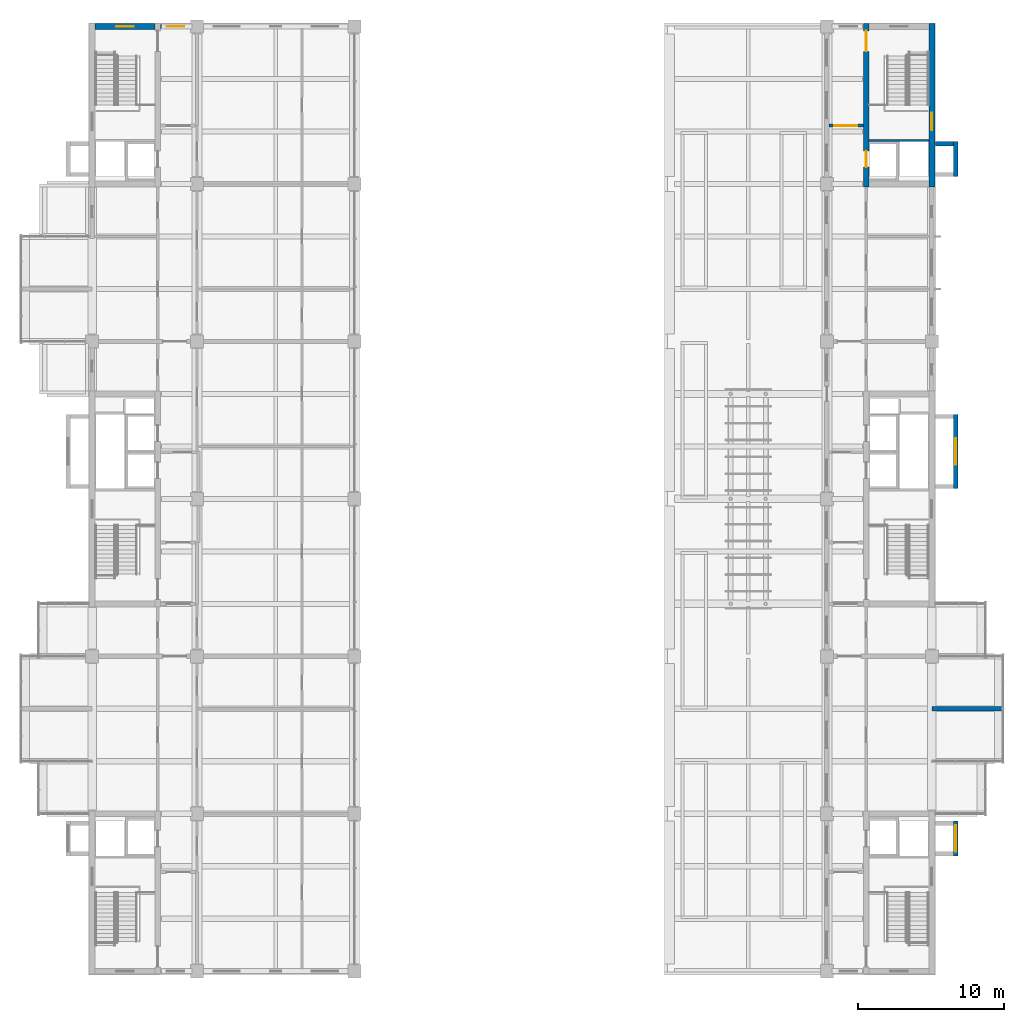
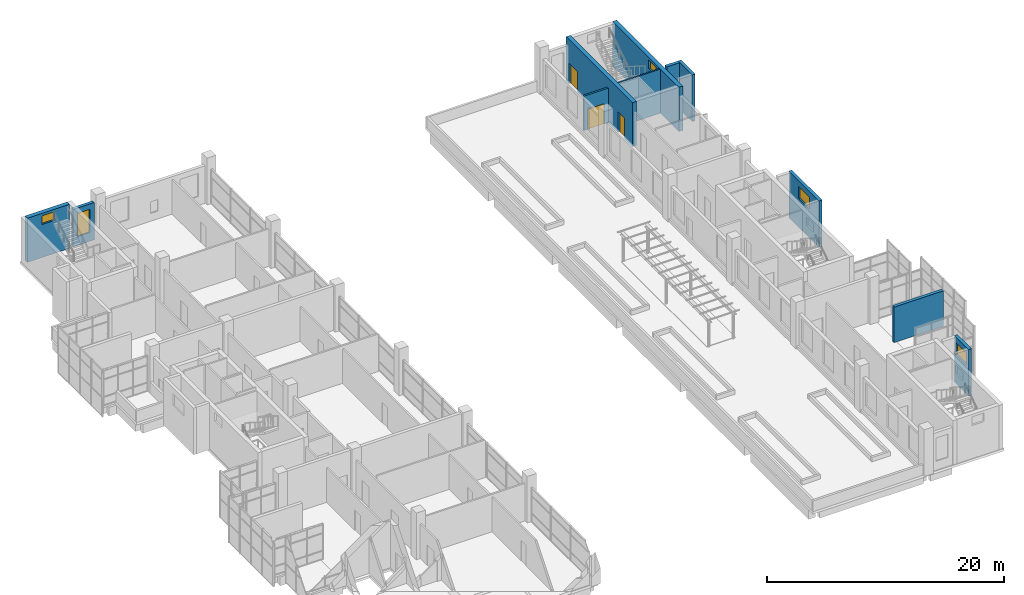
# One storey, part 28 of 32: 11 walls, 5 windows, 3 doors, 8 openings.
"""IFC4 building model written with IfcOpenShell, lengths in metres."""

from ifc_helpers import new_model, si_unit, direction, frame, frame_2d, origin, place, context, subcontext, project, spatial, rectangle, extrude, material, layer, layer_set, type_object, element, fill, save


model = new_model("IFC4")

# Units and contexts
model_context = context("Model", 3, precision=1e-05, world=origin(), true_north=direction((0.0, 1.0)))
body_context = subcontext(model_context, "Body", "Model", "MODEL_VIEW")
ifc_project = project(units=[si_unit("LENGTHUNIT", "METRE"), si_unit("AREAUNIT", "SQUARE_METRE"), si_unit("VOLUMEUNIT", "CUBIC_METRE"), si_unit("PLANEANGLEUNIT", "RADIAN"), si_unit("MASSUNIT", "GRAM", prefix="KILO")], contexts=[model_context])

# Site, building, storey
site_placement = place(None, origin())
site = spatial("IfcSite", under=ifc_project, at=site_placement, CompositionType="ELEMENT")
building_placement = place(site_placement, origin())
building = spatial("IfcBuilding", under=site, at=building_placement, Name="Basin Gate Institute", CompositionType="ELEMENT")
storey_placement = place(building_placement, frame((0.0, 0.0, 41.39990234375)))
storey = spatial("IfcBuildingStorey", under=building, at=storey_placement, Name="L08", CompositionType="ELEMENT", Elevation=41.39990234375)

# Wall
ifc_material_1 = material(Name="Aluminium-faced insulated panel wall", Category="aluminium")
ifc_layer_1 = layer(ifc_material_1, 0.300048828125)
ifc_layer_set_1 = layer_set([ifc_layer_1], Name="Capsule side wall EW2 EI 120")
wall_type_1 = type_object("IfcWallType", Name="Capsule side wall EW2 EI 120", PredefinedType="STANDARD", material=ifc_layer_set_1)
wall_1_placement = place(storey_placement, frame((123.60009765625, 53.10009765625, 0.0), z_axis=(0.0, 0.0, 1.0), x_axis=(-1.0, 0.0, 0.0)))
element("IfcWall", 1, at=wall_1_placement, inside=storey, type_object=wall_type_1, material=ifc_layer_set_1, Name="Capsule side wall E wing L08 line 6", PredefinedType="STANDARD", context=body_context, shape_type="SweptSolid", body=[
    extrude(rectangle(XDim=4.800048828125, YDim=0.300048828125, at=frame_2d((2.39990234375, 0.0))), origin(), (0.0, 0.0, 1.0), 3.650146484375),
])

# Wall, opening, door
ifc_material_2 = material(Name="Fire-rated masonry", Category="masonry")
ifc_layer_2 = layer(ifc_material_2, 0.199951171875)
ifc_layer_set_2 = layer_set([ifc_layer_2], Name="Enclosure wall PW2 200 EI 60")
wall_type_2 = type_object("IfcWallType", Name="Enclosure wall PW2 200 EI 60", PredefinedType="PARTITIONING", material=ifc_layer_set_2)
wall_2_placement = place(storey_placement, frame((114.10009765625, 93.10009765625, 0.0), z_axis=(0.0, 0.0, 1.0), x_axis=(-1.0, 0.0, 0.0)))
wall_2 = element("IfcWall", 2, at=wall_2_placement, inside=storey, type_object=wall_type_2, material=ifc_layer_set_2, Name="Smoke lobby enclosure wall PW2 L08", PredefinedType="PARTITIONING", context=body_context, shape_type="SweptSolid", body=[
    extrude(rectangle(XDim=2.35009765625, YDim=0.199951171875, at=frame_2d((1.175048828125, 0.0))), origin(), (0.0, 0.0, 1.0), 3.550048828125),
])
opening_1_placement = place(wall_2_placement, frame((0.39990234375, 0.0, 0.0)))
opening_1 = element("IfcOpeningElement", 3, at=opening_1_placement, cuts=wall_2, Name="Opening DR378", PredefinedType="OPENING", context=body_context, shape_type="SweptSolid", body=[
    extrude(rectangle(XDim=1.60009765625, YDim=2.10009765625, at=frame_2d((0.800048828125, 1.050048828125))), frame((0.0, 0.10986328125, 0.0), z_axis=(0.0, -1.0, 0.0), x_axis=(1.0, 0.0, 0.0)), (0.0, 0.0, 1.0), 0.219970703125),
])
ifc_material_3 = material(Name="Steel fire door", Category="steel")
door_type_1 = type_object("IfcDoorType", Name="FD60 Smoke lobby door pair D8", OperationType="DOUBLE_DOOR_SINGLE_SWING", PredefinedType="DOOR", material=ifc_material_3)
door_1_placement = place(opening_1_placement, frame((1.60009765625, 0.0, 0.0), z_axis=(0.0, 0.0, 1.0), x_axis=(-1.0, 0.0, 0.0)))
door_1 = element("IfcDoor", 4, at=door_1_placement, inside=storey, type_object=door_type_1, material=ifc_material_3, Name="Smoke lobby door SS6 L08", OperationType="DOUBLE_DOOR_SINGLE_SWING", OverallHeight=2.10009765625, OverallWidth=1.60009765625, PredefinedType="DOOR", context=body_context, shape_type="SweptSolid", body=[
    extrude(rectangle(XDim=1.60009765625, YDim=2.10009765625, at=frame_2d((0.800048828125, 1.050048828125))), frame((0.0, 0.02490234375, 0.0), z_axis=(0.0, -1.0, 0.0), x_axis=(1.0, 0.0, 0.0)), (0.0, 0.0, 1.0), 0.050048828125),
])
fill(opening_1, door_1)

# Wall, opening, window
ifc_material_4 = material(Name="Aluminium-faced insulated panel wall", Category="aluminium")
ifc_layer_3 = layer(ifc_material_4, 0.300048828125)
ifc_layer_set_3 = layer_set([ifc_layer_3], Name="External wall EW1 EI 120")
wall_type_3 = type_object("IfcWallType", Name="External wall EW1 EI 120", PredefinedType="STANDARD", material=ifc_layer_set_3)
wall_3_placement = place(storey_placement, frame((65.89990234375, 99.89990234375, 0.0), z_axis=(0.0, 0.0, 1.0), x_axis=(1.0, 0.0, 0.0)))
wall_3 = element("IfcWall", 5, at=wall_3_placement, inside=storey, type_object=wall_type_3, material=ifc_layer_set_3, Name="External end wall W wing north L08 1", PredefinedType="STANDARD", context=body_context, shape_type="SweptSolid", body=[
    extrude(rectangle(XDim=2.050048828125, YDim=0.300048828125, at=frame_2d((1.02490234375, 0.0))), origin(), (0.0, 0.0, 1.0), 3.85009765625),
])
opening_2_placement = place(wall_3_placement, frame((0.425048828125, 0.0, 0.89990234375)))
opening_2 = element("IfcOpeningElement", 6, at=opening_2_placement, cuts=wall_3, Name="Opening WN4", PredefinedType="OPENING", context=body_context, shape_type="SweptSolid", body=[
    extrude(rectangle(XDim=1.199951171875, YDim=2.39990234375, at=frame_2d((0.60009765625, 1.199951171875))), frame((0.0, 0.16015625, 0.0), z_axis=(0.0, -1.0, 0.0), x_axis=(1.0, 0.0, 0.0)), (0.0, 0.0, 1.0), 0.320068359375),
])
ifc_material_5 = material(Name="Aluminium-framed double glazing", Category="aluminium")
window_type_1 = type_object("IfcWindowType", Name="Corridor end window WN4", PartitioningType="SINGLE_PANEL", PredefinedType="WINDOW", material=ifc_material_5)
window_1_placement = place(opening_2_placement, origin())
window_1 = element("IfcWindow", 7, at=window_1_placement, inside=storey, type_object=window_type_1, material=ifc_material_5, Name="Corridor end window W wing N L08", OverallHeight=2.39990234375, OverallWidth=1.199951171875, PartitioningType="SINGLE_PANEL", PredefinedType="WINDOW", context=body_context, shape_type="SweptSolid", body=[
    extrude(rectangle(XDim=1.199951171875, YDim=2.39990234375, at=frame_2d((0.60009765625, 1.199951171875))), frame((0.0, 0.030029296875, 0.0), z_axis=(0.0, -1.0, 0.0), x_axis=(1.0, 0.0, 0.0)), (0.0, 0.0, 1.0), 0.06005859375),
])
fill(opening_2, window_1)

# Wall
ifc_material_6 = material(Name="Concrete 40 MPa", Category="concrete")
ifc_layer_4 = layer(ifc_material_6, 0.14990234375)
ifc_layer_set_4 = layer_set([ifc_layer_4], Name="Concrete 40 MPa")
wall_type_4 = type_object("IfcWallType", Name="Wall SE1 stair enclosure R120", PredefinedType="SOLIDWALL", material=ifc_layer_set_4)
wall_4_placement = place(storey_placement, frame((118.60009765625, 92.074951171875, 0.0), z_axis=(0.0, 0.0, 1.0), x_axis=(-1.0, 0.0, 0.0)))
element("IfcWall", 8, at=wall_4_placement, inside=storey, type_object=wall_type_4, material=ifc_layer_set_4, Name="Stair enclosure wall ST-EN L08", PredefinedType="SOLIDWALL", context=body_context, shape_type="SweptSolid", body=[
    extrude(rectangle(XDim=4.10009765625, YDim=0.14990234375, at=frame_2d((2.050048828125, 0.0))), origin(), (0.0, 0.0, 1.0), 4.550048828125),
])

# Wall, opening, window
ifc_material_7 = material(Name="Concrete 50 MPa", Category="concrete")
ifc_layer_5 = layer(ifc_material_7, 0.300048828125)
ifc_layer_set_5 = layer_set([ifc_layer_5], Name="Concrete 50 MPa")
wall_type_5 = type_object("IfcWallType", Name="Wall SK1 R120", PredefinedType="SHEAR", material=ifc_layer_set_5)
wall_5_placement = place(storey_placement, frame((120.449951171875, 43.0, 0.0), z_axis=(0.0, 0.0, 1.0), x_axis=(0.0, 1.0, 0.0)))
wall_5 = element("IfcWall", 9, at=wall_5_placement, inside=storey, type_object=wall_type_5, material=ifc_layer_set_5, Name="Spine riser stack wall SK1 ES F L08", PredefinedType="SHEAR", context=body_context, shape_type="SweptSolid", body=[
    extrude(rectangle(XDim=2.39990234375, YDim=0.300048828125, at=frame_2d((1.199951171875, 0.0))), origin(), (0.0, 0.0, 1.0), 4.800048828125),
])
opening_3_placement = place(wall_5_placement, frame((0.300048828125, 0.0, 3.0)))
opening_3 = element("IfcOpeningElement", 10, at=opening_3_placement, cuts=wall_5, Name="Opening WL2", PredefinedType="OPENING", context=body_context, shape_type="SweptSolid", body=[
    extrude(rectangle(XDim=1.800048828125, YDim=1.199951171875, at=frame_2d((0.89990234375, 0.60009765625))), frame((0.0, 0.16015625, 0.0), z_axis=(0.0, -1.0, 0.0), x_axis=(1.0, 0.0, 0.0)), (0.0, 0.0, 1.0), 0.320068359375),
])
ifc_material_8 = material(Name="Aluminium louvre blades with fire damper", Category="aluminium")
window_type_2 = type_object("IfcWindowType", Name="Riser louvre EI 120 WL2", PartitioningType="SINGLE_PANEL", PredefinedType="WINDOW", material=ifc_material_8)
window_2_placement = place(opening_3_placement, origin())
window_2 = element("IfcWindow", 11, at=window_2_placement, inside=storey, type_object=window_type_2, material=ifc_material_8, Name="Riser louvre EI 120 ES riser 1 L08", OverallHeight=1.199951171875, OverallWidth=1.800048828125, PartitioningType="SINGLE_PANEL", PredefinedType="WINDOW", context=body_context, shape_type="SweptSolid", body=[
    extrude(rectangle(XDim=1.800048828125, YDim=1.199951171875, at=frame_2d((0.89990234375, 0.60009765625))), frame((0.0, 0.030029296875, 0.0), z_axis=(0.0, -1.0, 0.0), x_axis=(1.0, 0.0, 0.0)), (0.0, 0.0, 1.0), 0.06005859375),
])
fill(opening_3, window_2)

wall_6_placement = place(storey_placement, frame((120.449951171875, 68.199951171875, 0.0), z_axis=(0.0, 0.0, 1.0), x_axis=(0.0, 1.0, 0.0)))
wall_6 = element("IfcWall", 12, at=wall_6_placement, inside=storey, type_object=wall_type_5, material=ifc_layer_set_5, Name="Spine riser stack wall SK1 EM F L08", PredefinedType="SHEAR", context=body_context, shape_type="SweptSolid", body=[
    extrude(rectangle(XDim=5.10009765625, YDim=0.300048828125, at=frame_2d((2.550048828125, 0.0))), origin(), (0.0, 0.0, 1.0), 4.800048828125),
])
opening_4_placement = place(wall_6_placement, frame((1.64990234375, 0.0, 3.0)))
opening_4 = element("IfcOpeningElement", 13, at=opening_4_placement, cuts=wall_6, Name="Opening WL2", PredefinedType="OPENING", context=body_context, shape_type="SweptSolid", body=[
    extrude(rectangle(XDim=1.800048828125, YDim=1.199951171875, at=frame_2d((0.89990234375, 0.60009765625))), frame((0.0, 0.16015625, 0.0), z_axis=(0.0, -1.0, 0.0), x_axis=(1.0, 0.0, 0.0)), (0.0, 0.0, 1.0), 0.320068359375),
])
window_3_placement = place(opening_4_placement, origin())
window_3 = element("IfcWindow", 14, at=window_3_placement, inside=storey, type_object=window_type_2, material=ifc_material_8, Name="Riser louvre EI 120 EM riser 1 L08", OverallHeight=1.199951171875, OverallWidth=1.800048828125, PartitioningType="SINGLE_PANEL", PredefinedType="WINDOW", context=body_context, shape_type="SweptSolid", body=[
    extrude(rectangle(XDim=1.800048828125, YDim=1.199951171875, at=frame_2d((0.89990234375, 0.60009765625))), frame((0.0, 0.030029296875, 0.0), z_axis=(0.0, -1.0, 0.0), x_axis=(1.0, 0.0, 0.0)), (0.0, 0.0, 1.0), 0.06005859375),
])
fill(opening_4, window_3)

# Walls
wall_7_placement = place(storey_placement, frame((120.449951171875, 89.60009765625, 0.0), z_axis=(0.0, 0.0, 1.0), x_axis=(0.0, 1.0, 0.0)))
element("IfcWall", 15, at=wall_7_placement, inside=storey, type_object=wall_type_5, material=ifc_layer_set_5, Name="Spine riser stack wall SK1 EN F L08", PredefinedType="SHEAR", context=body_context, shape_type="SweptSolid", body=[
    extrude(rectangle(XDim=2.39990234375, YDim=0.300048828125, at=frame_2d((1.199951171875, 0.0))), origin(), (0.0, 0.0, 1.0), 4.800048828125),
])
wall_8_placement = place(storey_placement, frame((119.050048828125, 91.85009765625, 0.0), z_axis=(0.0, 0.0, 1.0), x_axis=(1.0, 0.0, 0.0)))
element("IfcWall", 16, at=wall_8_placement, inside=storey, type_object=wall_type_5, material=ifc_layer_set_5, Name="Spine riser stack wall SK1 EN B L08", PredefinedType="SHEAR", context=body_context, shape_type="SweptSolid", body=[
    extrude(rectangle(XDim=1.25, YDim=0.300048828125, at=frame_2d((0.625, 0.0))), origin(), (0.0, 0.0, 1.0), 4.800048828125),
])

# Wall, opening, window
ifc_material_9 = material(Name="Concrete 50 MPa", Category="concrete")
ifc_layer_6 = layer(ifc_material_9, 0.39990234375)
ifc_layer_set_6 = layer_set([ifc_layer_6], Name="Concrete 50 MPa")
wall_type_6 = type_object("IfcWallType", Name="Wall SW2 R120", PredefinedType="SHEAR", material=ifc_layer_set_6)
wall_9_placement = place(storey_placement, frame((61.39990234375, 99.89990234375, 0.0), z_axis=(0.0, 0.0, 1.0), x_axis=(1.0, 0.0, 0.0)))
wall_9 = element("IfcWall", 17, at=wall_9_placement, inside=storey, type_object=wall_type_6, material=ifc_layer_set_6, Name="WALL/L08/WN/N", PredefinedType="SHEAR", context=body_context, shape_type="SweptSolid", body=[
    extrude(rectangle(XDim=4.10009765625, YDim=0.39990234375, at=frame_2d((2.050048828125, 0.0))), origin(), (0.0, 0.0, 1.0), 4.550048828125),
])
opening_5_placement = place(wall_9_placement, frame((1.449951171875, 0.0, 3.39990234375)))
opening_5 = element("IfcOpeningElement", 18, at=opening_5_placement, cuts=wall_9, Name="Opening WT2", PredefinedType="OPENING", context=body_context, shape_type="SweptSolid", body=[
    extrude(rectangle(XDim=1.199951171875, YDim=0.89990234375, at=frame_2d((0.60009765625, 0.449951171875))), frame((0.0, 0.2099609375, 0.0), z_axis=(0.0, -1.0, 0.0), x_axis=(1.0, 0.0, 0.0)), (0.0, 0.0, 1.0), 0.419921875),
])
ifc_material_10 = material(Name="Fire-resistant glazing in steel-free frame", Category="steel")
window_type_3 = type_object("IfcWindowType", Name="Rated stair window EI 120 WT2", PartitioningType="SINGLE_PANEL", PredefinedType="WINDOW", material=ifc_material_10)
window_4_placement = place(opening_5_placement, origin())
window_4 = element("IfcWindow", 19, at=window_4_placement, inside=storey, type_object=window_type_3, material=ifc_material_10, Name="Rated stair window EI 120 WN end L08", OverallHeight=0.89990234375, OverallWidth=1.199951171875, PartitioningType="SINGLE_PANEL", PredefinedType="WINDOW", context=body_context, shape_type="SweptSolid", body=[
    extrude(rectangle(XDim=1.199951171875, YDim=0.89990234375, at=frame_2d((0.60009765625, 0.449951171875))), frame((0.0, 0.030029296875, 0.0), z_axis=(0.0, -1.0, 0.0), x_axis=(1.0, 0.0, 0.0)), (0.0, 0.0, 1.0), 0.06005859375),
])
fill(opening_5, window_4)

wall_10_placement = place(storey_placement, frame((118.800048828125, 88.89990234375, 0.0), z_axis=(0.0, 0.0, 1.0), x_axis=(0.0, 1.0, 0.0)))
wall_10 = element("IfcWall", 20, at=wall_10_placement, inside=storey, type_object=wall_type_6, material=ifc_layer_set_6, Name="WALL/L08/EN/L", PredefinedType="SHEAR", context=body_context, shape_type="SweptSolid", body=[
    extrude(rectangle(XDim=11.2001953125, YDim=0.39990234375, at=frame_2d((5.60009765625, 0.0))), origin(), (0.0, 0.0, 1.0), 4.550048828125),
])
opening_6_placement = place(wall_10_placement, frame((3.889892578125, 0.0, 3.39990234375)))
opening_6 = element("IfcOpeningElement", 21, at=opening_6_placement, cuts=wall_10, Name="Opening WT2", PredefinedType="OPENING", context=body_context, shape_type="SweptSolid", body=[
    extrude(rectangle(XDim=1.199951171875, YDim=0.89990234375, at=frame_2d((0.60009765625, 0.449951171875))), frame((0.0, 0.2099609375, 0.0), z_axis=(0.0, -1.0, 0.0), x_axis=(1.0, 0.0, 0.0)), (0.0, 0.0, 1.0), 0.419921875),
])
window_5_placement = place(opening_6_placement, origin())
window_5 = element("IfcWindow", 22, at=window_5_placement, inside=storey, type_object=window_type_3, material=ifc_material_10, Name="Rated stair window EI 120 EN landing L08", OverallHeight=0.89990234375, OverallWidth=1.199951171875, PartitioningType="SINGLE_PANEL", PredefinedType="WINDOW", context=body_context, shape_type="SweptSolid", body=[
    extrude(rectangle(XDim=1.199951171875, YDim=0.89990234375, at=frame_2d((0.60009765625, 0.449951171875))), frame((0.0, 0.030029296875, 0.0), z_axis=(0.0, -1.0, 0.0), x_axis=(1.0, 0.0, 0.0)), (0.0, 0.0, 1.0), 0.06005859375),
])
fill(opening_6, window_5)

# Wall, openings, doors
wall_11_placement = place(storey_placement, frame((114.300048828125, 88.89990234375, 0.0), z_axis=(0.0, 0.0, 1.0), x_axis=(0.0, 1.0, 0.0)))
wall_11 = element("IfcWall", 23, at=wall_11_placement, inside=storey, type_object=wall_type_6, material=ifc_layer_set_6, Name="WALL/L08/EN/C", PredefinedType="SHEAR", context=body_context, shape_type="SweptSolid", body=[
    extrude(rectangle(XDim=11.2001953125, YDim=0.39990234375, at=frame_2d((5.60009765625, 0.0))), origin(), (0.0, 0.0, 1.0), 4.550048828125),
])
opening_7_placement = place(wall_11_placement, frame((9.300048828125, 0.0, 0.0)))
opening_7 = element("IfcOpeningElement", 24, at=opening_7_placement, cuts=wall_11, Name="Opening DS054", PredefinedType="OPENING", context=body_context, shape_type="SweptSolid", body=[
    extrude(rectangle(XDim=1.39990234375, YDim=2.10009765625, at=frame_2d((0.699951171875, 1.050048828125))), frame((0.0, 0.2099609375, 0.0), z_axis=(0.0, -1.0, 0.0), x_axis=(1.0, 0.0, 0.0)), (0.0, 0.0, 1.0), 0.419921875),
])
opening_8_placement = place(wall_11_placement, frame((1.35009765625, 0.0, 0.0)))
opening_8 = element("IfcOpeningElement", 25, at=opening_8_placement, cuts=wall_11, Name="Opening LD114", PredefinedType="OPENING", context=body_context, shape_type="SweptSolid", body=[
    extrude(rectangle(XDim=1.10009765625, YDim=2.10009765625, at=frame_2d((0.550048828125, 1.050048828125))), frame((0.0, 0.2099609375, 0.0), z_axis=(0.0, -1.0, 0.0), x_axis=(1.0, 0.0, 0.0)), (0.0, 0.0, 1.0), 0.419921875),
])
ifc_material_11 = material(Name="Steel fire door", Category="steel")
door_type_2 = type_object("IfcDoorType", Name="FD30 Stair enclosure door DS", OperationType="DOUBLE_DOOR_SINGLE_SWING", PredefinedType="DOOR", material=ifc_material_11)
door_2_placement = place(opening_7_placement, frame((1.39990234375, 0.0, 0.0), z_axis=(0.0, 0.0, 1.0), x_axis=(-1.0, 0.0, 0.0)))
door_2 = element("IfcDoor", 26, at=door_2_placement, inside=storey, type_object=door_type_2, material=ifc_material_11, Name="Stair enclosure door ST-EN L08", OperationType="DOUBLE_DOOR_SINGLE_SWING", OverallHeight=2.10009765625, OverallWidth=1.39990234375, PredefinedType="DOOR", context=body_context, shape_type="SweptSolid", body=[
    extrude(rectangle(XDim=1.39990234375, YDim=2.10009765625, at=frame_2d((0.699951171875, 1.050048828125))), frame((0.0, 0.02490234375, 0.0), z_axis=(0.0, -1.0, 0.0), x_axis=(1.0, 0.0, 0.0)), (0.0, 0.0, 1.0), 0.050048828125),
])
fill(opening_7, door_2)
ifc_material_12 = material(Name="Stainless steel", Category="steel")
door_type_3 = type_object("IfcDoorType", Name="FD60 Lift landing door LD", OperationType="SLIDING_TO_LEFT", PredefinedType="DOOR", material=ifc_material_12)
door_3_placement = place(opening_8_placement, origin())
door_3 = element("IfcDoor", 27, at=door_3_placement, inside=storey, type_object=door_type_3, material=ifc_material_12, Name="Lift landing door LP6 L08", OperationType="SLIDING_TO_LEFT", OverallHeight=2.10009765625, OverallWidth=1.10009765625, PredefinedType="DOOR", context=body_context, shape_type="SweptSolid", body=[
    extrude(rectangle(XDim=1.10009765625, YDim=2.10009765625, at=frame_2d((0.550048828125, 1.050048828125))), frame((0.0, 0.02490234375, 0.0), z_axis=(0.0, -1.0, 0.0), x_axis=(1.0, 0.0, 0.0)), (0.0, 0.0, 1.0), 0.050048828125),
])
fill(opening_8, door_3)

save(model, "model.ifc")
